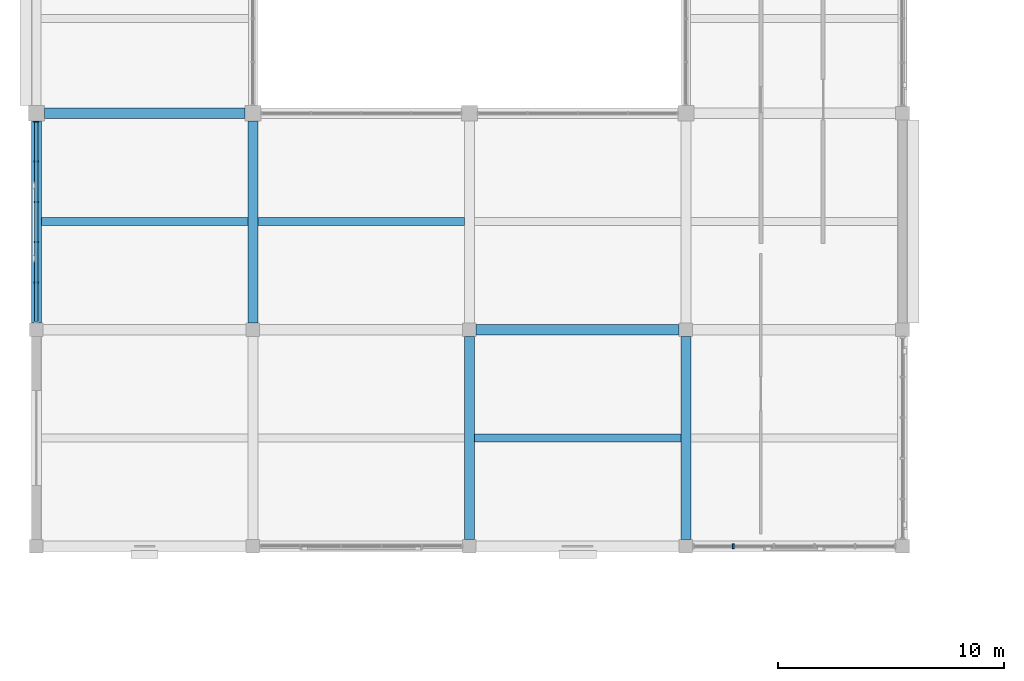
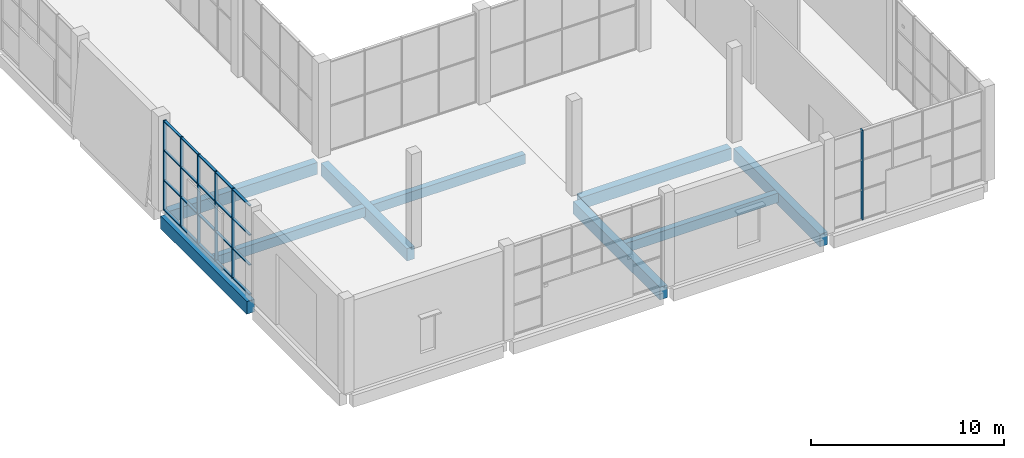
# One storey, part 18 of 84: 10 members, 9 beams, 2 elements without a shape of their own.
"""IFC4 building model written with IfcOpenShell, lengths in metres."""

from ifc_helpers import new_model, si_unit, direction, frame, origin, origin_2d, place, context, subcontext, project, spatial, rectangle, extrude, material, material_profile, profile_set, type_object, element, aggregate, save


model = new_model("IFC4")

# Units and contexts
model_context = context("Model", 3, precision=1e-05, world=origin(), true_north=direction((0.0, 1.0)))
body_context = subcontext(model_context, "Body", "Model", "MODEL_VIEW")
ifc_project = project(units=[si_unit("LENGTHUNIT", "METRE"), si_unit("AREAUNIT", "SQUARE_METRE"), si_unit("VOLUMEUNIT", "CUBIC_METRE"), si_unit("PLANEANGLEUNIT", "RADIAN"), si_unit("MASSUNIT", "GRAM", prefix="KILO")], contexts=[model_context])

# Site, building, storey
site_placement = place(None, origin())
site = spatial("IfcSite", under=ifc_project, at=site_placement, CompositionType="ELEMENT")
building_placement = place(site_placement, origin())
building = spatial("IfcBuilding", under=site, at=building_placement, Name="Shalvenor Court Art Gallery", CompositionType="ELEMENT")
storey_placement = place(building_placement, origin())
storey = spatial("IfcBuildingStorey", under=building, at=storey_placement, Name="L00", CompositionType="ELEMENT", Elevation=0.0)

# Beams
ifc_material_1 = material(Name="Concrete C40/50", Category="concrete")
ifc_material_profile_1 = material_profile(ifc_material_1, rectangle(XDim=0.449951171875, YDim=0.800048828125, at=origin_2d()), Name="RC 450x800")
ifc_profile_set_1 = profile_set([ifc_material_profile_1], Name="Concrete C40/50")
beam_type_1 = type_object("IfcBeamType", Name="B-03", PredefinedType="BEAM", material=ifc_profile_set_1)
for number, where, z_axis, x_axis, name in (
    (1, (0.0, 79.5, -0.739990234375), (0.0, 1.0, 0.0), (-1.0, 0.0, 0.0), "L00 Girder BM-L00-B-03-0005"),
    (2, (9.60009765625, 79.5, -0.739990234375), (0.0, 1.0, 0.0), (-1.0, 0.0, 0.0), "L00 Girder BM-L00-B-03-0013"),
):
    element("IfcBeam", number, at=place(storey_placement, frame(where, z_axis=z_axis, x_axis=x_axis)), inside=storey, type_object=beam_type_1, Name=name, PredefinedType="BEAM", context=body_context, shape_type="SweptSolid", body=[
        extrude(rectangle(XDim=0.449951171875, YDim=0.800048828125, at=origin_2d()), origin(), (0.0, 0.0, 1.0), 8.949951171875),
    ])
for number, where, z_axis, x_axis, name in (
    (3, (19.199951171875, 69.89990234375, -0.739990234375), (0.0, 1.0, 0.0), (-1.0, 0.0, 0.0), "L00 Girder BM-L00-B-03-0021"),
    (4, (28.800048828125, 69.89990234375, -0.739990234375), (0.0, 1.0, 0.0), (-1.0, 0.0, 0.0), "L00 Girder BM-L00-B-03-0026"),
):
    element("IfcBeam", number, at=place(storey_placement, frame(where, z_axis=z_axis, x_axis=x_axis)), inside=storey, type_object=beam_type_1, Name=name, PredefinedType="BEAM", context=body_context, shape_type="SweptSolid", body=[
        extrude(rectangle(XDim=0.449951171875, YDim=0.800048828125, at=origin_2d()), origin(), (0.0, 0.0, 1.0), 9.0),
    ])
ifc_material_2 = material(Name="Concrete C40/50", Category="concrete")
ifc_material_profile_2 = material_profile(ifc_material_2, rectangle(XDim=0.449951171875, YDim=0.75, at=origin_2d()), Name="RC 450x750")
ifc_profile_set_2 = profile_set([ifc_material_profile_2], Name="Concrete C40/50")
beam_type_2 = type_object("IfcBeamType", Name="B-04", PredefinedType="BEAM", material=ifc_profile_set_2)
beam_1_placement = place(storey_placement, frame((19.5, 79.199951171875, -0.715087890625), z_axis=(1.0, 0.0, 0.0), x_axis=(0.0, 1.0, 0.0)))
element("IfcBeam", 5, at=beam_1_placement, inside=storey, type_object=beam_type_2, Name="L00 Girder BM-L00-B-04-0221", PredefinedType="BEAM", context=body_context, shape_type="SweptSolid", body=[
    extrude(rectangle(XDim=0.449951171875, YDim=0.75, at=origin_2d()), origin(), (0.0, 0.0, 1.0), 9.0),
])
beam_2_placement = place(storey_placement, frame((0.35009765625, 88.800048828125, -0.715087890625), z_axis=(1.0, 0.0, 0.0), x_axis=(0.0, 1.0, 0.0)))
element("IfcBeam", 6, at=beam_2_placement, inside=storey, type_object=beam_type_2, Name="L00 Girder BM-L00-B-04-0228", PredefinedType="BEAM", context=body_context, shape_type="SweptSolid", body=[
    extrude(rectangle(XDim=0.449951171875, YDim=0.75, at=origin_2d()), origin(), (0.0, 0.0, 1.0), 8.89990234375),
])

# Curtain wall, members
ifc_material_3 = material(Name="Anodised aluminium and low-iron glass curtain wall", Category="aluminium")
curtain_wall_type_1 = type_object("IfcCurtainWallType", Name="CW-5x3-90-57-111", PredefinedType="USERDEFINED", material=ifc_material_3)
curtain_wall_1_placement = place(storey_placement, origin())
curtain_wall_1 = element("IfcCurtainWall", 7, at=curtain_wall_1_placement, inside=storey, type_object=curtain_wall_type_1, Name="L00 V5 Curtain Wall CW-L00-156", ObjectType="CURTAIN WALL", PredefinedType="USERDEFINED")
ifc_material_4 = material(Name="Anodised aluminium mullion", Category="aluminium")
ifc_material_profile_3 = material_profile(ifc_material_4, rectangle(XDim=0.06494140625, YDim=0.179931640625, at=origin_2d()), Name="CWM-01")
ifc_profile_set_3 = profile_set([ifc_material_profile_3], Name="Anodised aluminium mullion")
member_type_1 = type_object("IfcMemberType", Name="CWM-01", PredefinedType="MULLION", material=ifc_profile_set_3)
member_1_placement = place(storey_placement, frame((0.0, 81.2900390625, 0.0), z_axis=(0.0, 0.0, 1.0), x_axis=(0.0, 1.0, 0.0)))
member_1 = element("IfcMember", 8, at=member_1_placement, type_object=member_type_1, Name="CW-5x3-90-57-111 mullion 2", PredefinedType="MULLION", context=body_context, shape_type="SweptSolid", body=[
    extrude(rectangle(XDim=0.06494140625, YDim=0.179931640625, at=origin_2d()), origin(), (0.0, 0.0, 1.0), 5.679931640625),
])
member_2_placement = place(storey_placement, frame((0.0, 83.080078125, 0.0), z_axis=(0.0, 0.0, 1.0), x_axis=(0.0, 1.0, 0.0)))
member_2 = element("IfcMember", 9, at=member_2_placement, type_object=member_type_1, Name="CW-5x3-90-57-111 mullion 3", PredefinedType="MULLION", context=body_context, shape_type="SweptSolid", body=[
    extrude(rectangle(XDim=0.06494140625, YDim=0.179931640625, at=origin_2d()), origin(), (0.0, 0.0, 1.0), 5.679931640625),
])
member_3_placement = place(storey_placement, frame((0.0, 84.8701171875, 0.0), z_axis=(0.0, 0.0, 1.0), x_axis=(0.0, 1.0, 0.0)))
member_3 = element("IfcMember", 10, at=member_3_placement, type_object=member_type_1, Name="CW-5x3-90-57-111 mullion 4", PredefinedType="MULLION", context=body_context, shape_type="SweptSolid", body=[
    extrude(rectangle(XDim=0.06494140625, YDim=0.179931640625, at=origin_2d()), origin(), (0.0, 0.0, 1.0), 5.679931640625),
])
member_4_placement = place(storey_placement, frame((0.0, 86.659912109375, 0.0), z_axis=(0.0, 0.0, 1.0), x_axis=(0.0, 1.0, 0.0)))
member_4 = element("IfcMember", 11, at=member_4_placement, type_object=member_type_1, Name="CW-5x3-90-57-111 mullion 5", PredefinedType="MULLION", context=body_context, shape_type="SweptSolid", body=[
    extrude(rectangle(XDim=0.06494140625, YDim=0.179931640625, at=origin_2d()), origin(), (0.0, 0.0, 1.0), 5.679931640625),
])
member_5_placement = place(storey_placement, frame((0.0, 88.41748046875, 0.0), z_axis=(0.0, 0.0, 1.0), x_axis=(0.0, 1.0, 0.0)))
member_5 = element("IfcMember", 12, at=member_5_placement, type_object=member_type_1, Name="CW-5x3-90-57-111 mullion 6", PredefinedType="MULLION", context=body_context, shape_type="SweptSolid", body=[
    extrude(rectangle(XDim=0.06494140625, YDim=0.179931640625, at=origin_2d()), origin(), (0.0, 0.0, 1.0), 5.679931640625),
])

# Curtain wall, member
ifc_material_5 = material(Name="Anodised aluminium and low-iron glass curtain wall", Category="aluminium")
curtain_wall_type_2 = type_object("IfcCurtainWallType", Name="CW-5x3-90-57-421", PredefinedType="USERDEFINED", material=ifc_material_5)
curtain_wall_2_placement = place(storey_placement, origin())
curtain_wall_2 = element("IfcCurtainWall", 13, at=curtain_wall_2_placement, inside=storey, type_object=curtain_wall_type_2, Name="L00 V5 Curtain Wall CW-L00-154", ObjectType="CURTAIN WALL", PredefinedType="USERDEFINED")
ifc_material_6 = material(Name="Anodised aluminium mullion", Category="aluminium")
ifc_material_profile_4 = material_profile(ifc_material_6, rectangle(XDim=0.074951171875, YDim=0.219970703125, at=origin_2d()), Name="CWM-04")
ifc_profile_set_4 = profile_set([ifc_material_profile_4], Name="Anodised aluminium mullion")
member_type_2 = type_object("IfcMemberType", Name="CWM-04", PredefinedType="MULLION", material=ifc_profile_set_4)
member_6_placement = place(storey_placement, frame((30.89990234375, 69.60009765625, 0.0), z_axis=(0.0, 0.0, 1.0), x_axis=(-1.0, 0.0, 0.0)))
member_6 = element("IfcMember", 14, at=member_6_placement, type_object=member_type_2, Name="CW-5x3-90-57-421 mullion 5", PredefinedType="MULLION", context=body_context, shape_type="SweptSolid", body=[
    extrude(rectangle(XDim=0.074951171875, YDim=0.219970703125, at=origin_2d()), origin(), (0.0, 0.0, 1.0), 5.679931640625),
])
aggregate(curtain_wall_2, [member_6])

# Member
ifc_material_7 = material(Name="Anodised aluminium transom", Category="aluminium")
ifc_material_profile_5 = material_profile(ifc_material_7, rectangle(XDim=0.14990234375, YDim=0.06005859375, at=origin_2d()), Name="CWT-01")
ifc_profile_set_5 = profile_set([ifc_material_profile_5], Name="Anodised aluminium transom")
member_type_3 = type_object("IfcMemberType", Name="CWT-01", PredefinedType="USERDEFINED", material=ifc_profile_set_5)
member_7_placement = place(storey_placement, frame((0.0, 79.532470703125, 0.030029296875), z_axis=(0.0, 1.0, 0.0), x_axis=(-1.0, 0.0, 0.0)))
member_7 = element("IfcMember", 15, at=member_7_placement, type_object=member_type_3, Name="CW-5x3-90-57-111 transom 1", ObjectType="TRANSOM", PredefinedType="USERDEFINED", context=body_context, shape_type="SweptSolid", body=[
    extrude(rectangle(XDim=0.14990234375, YDim=0.06005859375, at=origin_2d()), origin(), (0.0, 0.0, 1.0), 8.885009765625),
])

member_8_placement = place(storey_placement, frame((0.0, 79.532470703125, 1.893310546875), z_axis=(0.0, 1.0, 0.0), x_axis=(-1.0, 0.0, 0.0)))
member_8 = element("IfcMember", 16, at=member_8_placement, type_object=member_type_3, Name="CW-5x3-90-57-111 transom 2", ObjectType="TRANSOM", PredefinedType="USERDEFINED", context=body_context, shape_type="SweptSolid", body=[
    extrude(rectangle(XDim=0.14990234375, YDim=0.06005859375, at=origin_2d()), origin(), (0.0, 0.0, 1.0), 8.885009765625),
])

member_9_placement = place(storey_placement, frame((0.0, 79.532470703125, 3.78662109375), z_axis=(0.0, 1.0, 0.0), x_axis=(-1.0, 0.0, 0.0)))
member_9 = element("IfcMember", 17, at=member_9_placement, type_object=member_type_3, Name="CW-5x3-90-57-111 transom 3", ObjectType="TRANSOM", PredefinedType="USERDEFINED", context=body_context, shape_type="SweptSolid", body=[
    extrude(rectangle(XDim=0.14990234375, YDim=0.06005859375, at=origin_2d()), origin(), (0.0, 0.0, 1.0), 8.885009765625),
])

member_10_placement = place(storey_placement, frame((0.0, 79.532470703125, 5.64990234375), z_axis=(0.0, 1.0, 0.0), x_axis=(-1.0, 0.0, 0.0)))
member_10 = element("IfcMember", 18, at=member_10_placement, type_object=member_type_3, Name="CW-5x3-90-57-111 transom 4", ObjectType="TRANSOM", PredefinedType="USERDEFINED", context=body_context, shape_type="SweptSolid", body=[
    extrude(rectangle(XDim=0.14990234375, YDim=0.06005859375, at=origin_2d()), origin(), (0.0, 0.0, 1.0), 8.885009765625),
])

aggregate(curtain_wall_1, [member_1, member_2, member_3, member_4, member_5, member_7, member_8, member_9, member_10])

# Beams
ifc_material_8 = material(Name="Concrete C40/50", Category="concrete")
ifc_material_profile_6 = material_profile(ifc_material_8, rectangle(XDim=0.35009765625, YDim=0.60009765625, at=origin_2d()), Name="RC 350x600")
ifc_profile_set_6 = profile_set([ifc_material_profile_6], Name="Concrete C40/50")
beam_type_3 = type_object("IfcBeamType", Name="J-01", PredefinedType="JOIST", material=ifc_profile_set_6)
beam_3_placement = place(storey_placement, frame((0.22509765625, 84.0, -0.639892578125), z_axis=(1.0, 0.0, 0.0), x_axis=(0.0, 1.0, 0.0)))
element("IfcBeam", 19, at=beam_3_placement, inside=storey, type_object=beam_type_3, Name="L00 Secondary Beam JST-L00-J-01-0282", PredefinedType="JOIST", context=body_context, shape_type="SweptSolid", body=[
    extrude(rectangle(XDim=0.35009765625, YDim=0.60009765625, at=origin_2d()), origin(), (0.0, 0.0, 1.0), 9.14990234375),
])
beam_4_placement = place(storey_placement, frame((9.824951171875, 84.0, -0.639892578125), z_axis=(1.0, 0.0, 0.0), x_axis=(0.0, 1.0, 0.0)))
element("IfcBeam", 20, at=beam_4_placement, inside=storey, type_object=beam_type_3, Name="L00 Secondary Beam JST-L00-J-01-0289", PredefinedType="JOIST", context=body_context, shape_type="SweptSolid", body=[
    extrude(rectangle(XDim=0.35009765625, YDim=0.60009765625, at=origin_2d()), origin(), (0.0, 0.0, 1.0), 9.150146484375),
])
beam_5_placement = place(storey_placement, frame((19.425048828125, 74.39990234375, -0.639892578125), z_axis=(1.0, 0.0, 0.0), x_axis=(0.0, 1.0, 0.0)))
element("IfcBeam", 21, at=beam_5_placement, inside=storey, type_object=beam_type_3, Name="L00 Secondary Beam JST-L00-J-01-0292", PredefinedType="JOIST", context=body_context, shape_type="SweptSolid", body=[
    extrude(rectangle(XDim=0.35009765625, YDim=0.60009765625, at=origin_2d()), origin(), (0.0, 0.0, 1.0), 9.14990234375),
])

save(model, "model.ifc")
